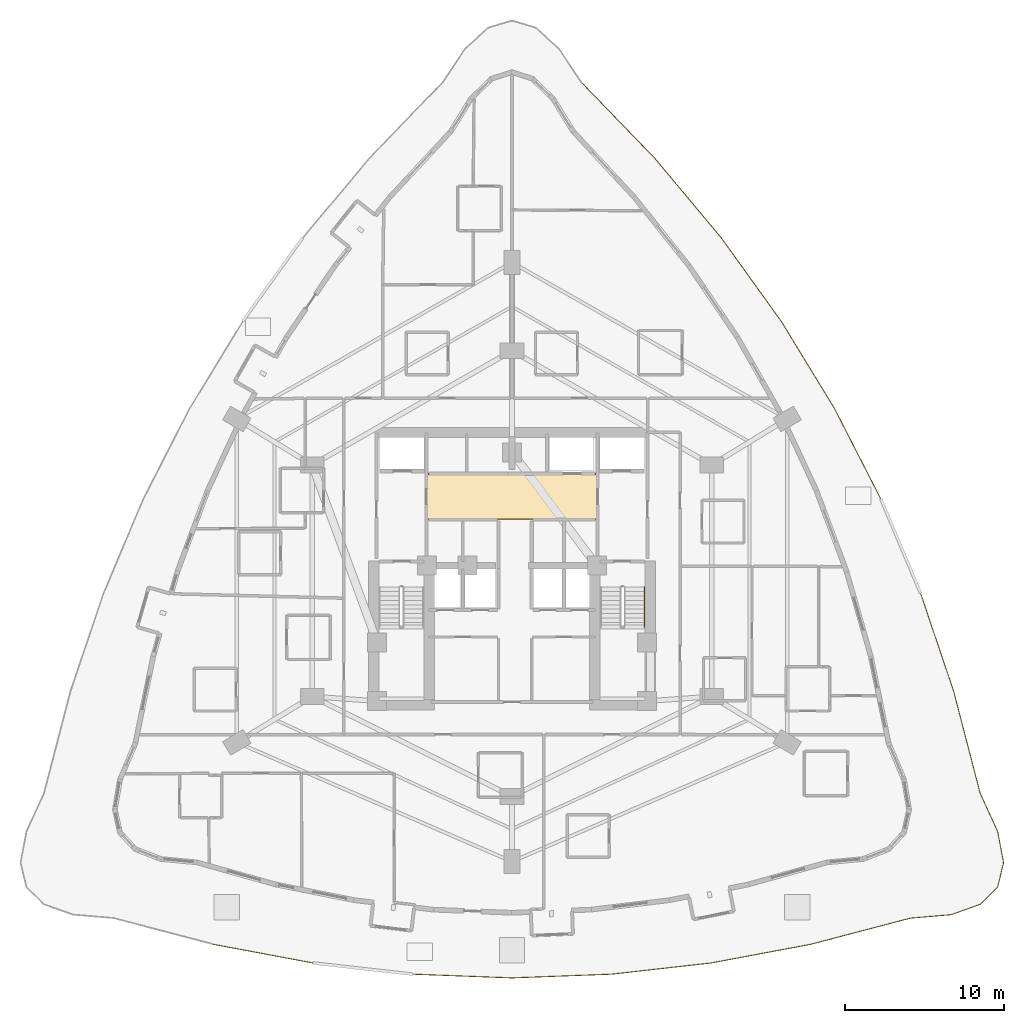
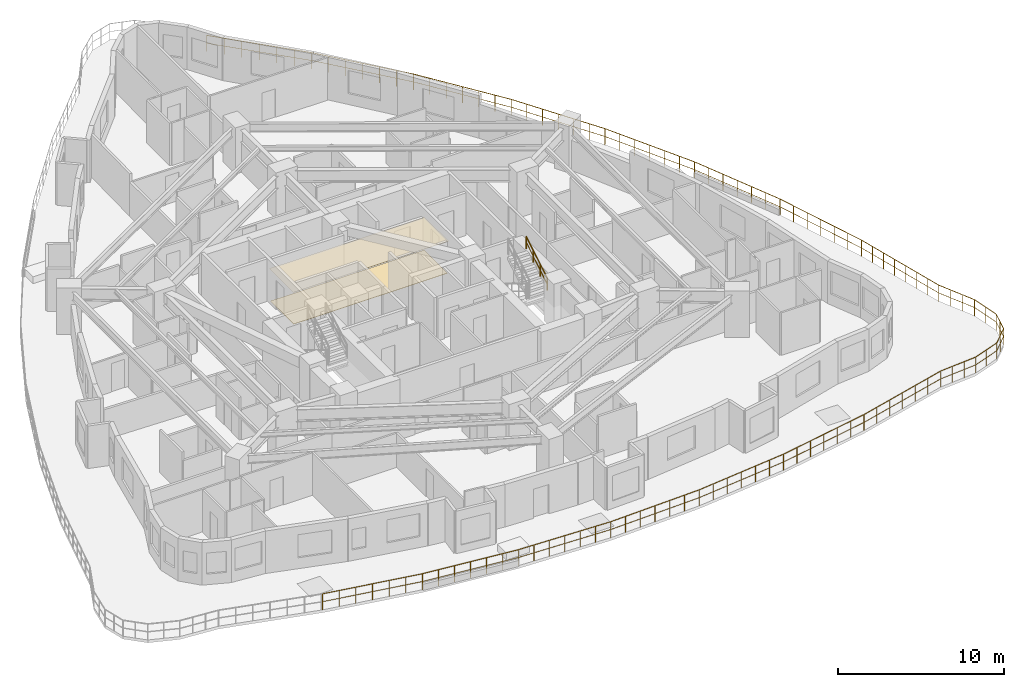
# One storey, part 17 of 17: 2 coverings, 2 railings.
"""IFC4 building model written with IfcOpenShell, lengths in metres."""

import ifcopenshell
import ifcopenshell.guid

model = None  # the IFC model being written
_history = None  # IfcOwnerHistory: only IFC2X3 demands one
_inside = {}  # id of a spatial element -> (the spatial element, [elements in it])
_under = {}  # id of a project, library or spatial element -> (it, [spatial elements below it])
_declared = {}  # id of a project -> (the project, [libraries it declares])
_typed = {}  # id of a type object -> (the type object, [elements of that type])
_made_of = {}  # id of a material, layer set ... -> (it, [elements and type objects made of it])


def new_model(schema):
    """Start an empty IFC model of exactly this schema.

    Asked for "IFC4X3", IfcOpenShell would pick the latest addendum, in which some entities
    have other attributes; the version numbers below select the first issue.
    IFC2X3 requires an IfcOwnerHistory on every rooted entity: one is made here for all.
    """
    global model, _history
    if schema == "IFC4X3":
        model = ifcopenshell.file(schema_version=(4, 3, 0, 0))
    else:
        model = ifcopenshell.file(schema=schema)
    _inside.clear()
    _under.clear()
    _declared.clear()
    _typed.clear()
    _made_of.clear()
    _history = None
    if model.schema == "IFC2X3":
        org = make("IfcOrganization", Name="unknown")
        user = make(
            "IfcPersonAndOrganization",
            ThePerson=make("IfcPerson", FamilyName="unknown"),
            TheOrganization=org,
        )
        app = make(
            "IfcApplication",
            ApplicationDeveloper=org,
            Version="unknown",
            ApplicationFullName="unknown",
            ApplicationIdentifier="unknown",
        )
        _history = make(
            "IfcOwnerHistory",
            OwningUser=user,
            OwningApplication=app,
            ChangeAction="ADDED",
            CreationDate=0,
        )
    return model


def make(cls, **values):
    """One entity of the class cls with the attributes given. An attribute that is None is left unset."""
    return model.create_entity(
        cls, **{name: value for name, value in values.items() if value is not None}
    )


def rooted(cls, **values):
    """An entity with a GlobalId (a new one), such as an element, a storey or a relation."""
    return make(cls, GlobalId=ifcopenshell.guid.new(), OwnerHistory=_history, **values)


def si_unit(unit_type, name, prefix=None):
    """IfcSIUnit, for example si_unit("LENGTHUNIT", "METRE", prefix="MILLI")."""
    return make("IfcSIUnit", UnitType=unit_type, Prefix=prefix, Name=name)


def assignment(units):
    """IfcUnitAssignment: the units of a project."""
    return None if units is None else make("IfcUnitAssignment", Units=units)


def point(xyz):
    """IfcCartesianPoint."""
    return None if xyz is None else make("IfcCartesianPoint", Coordinates=xyz)


def direction(xyz):
    """IfcDirection."""
    return None if xyz is None else make("IfcDirection", DirectionRatios=xyz)


def frame(location, z_axis=None, x_axis=None):
    """IfcAxis2Placement3D, a coordinate frame: its origin and axes. An axis left out is left unset."""
    return make(
        "IfcAxis2Placement3D",
        Location=point(location),
        Axis=direction(z_axis),
        RefDirection=direction(x_axis),
    )


def frame_2d(location, x_axis=None):
    """IfcAxis2Placement2D, a coordinate frame in the plane: its origin and x axis."""
    return make(
        "IfcAxis2Placement2D", Location=point(location), RefDirection=direction(x_axis)
    )


def origin():
    """The frame at (0, 0, 0) with its axes left unset."""
    return frame((0.0, 0.0, 0.0))


def origin_2d():
    """The frame at (0, 0) in the plane with its x axis left unset."""
    return frame_2d((0.0, 0.0))


def place(relative_to, where):
    """IfcLocalPlacement: puts the frame where relative to a parent placement (None: the world)."""
    return make(
        "IfcLocalPlacement", PlacementRelTo=relative_to, RelativePlacement=where
    )


def context(
    kind, dimensions, precision=None, world=None, true_north=None, identifier=None
):
    """IfcGeometricRepresentationContext, for example the 3D "Model" context."""
    return make(
        "IfcGeometricRepresentationContext",
        ContextIdentifier=identifier,
        ContextType=kind,
        CoordinateSpaceDimension=dimensions,
        Precision=precision,
        WorldCoordinateSystem=world,
        TrueNorth=true_north,
    )


def subcontext(parent, identifier, kind, view, scale=None):
    """IfcGeometricRepresentationSubContext, for example "Body" below "Model"."""
    return make(
        "IfcGeometricRepresentationSubContext",
        ContextIdentifier=identifier,
        ContextType=kind,
        ParentContext=parent,
        TargetScale=scale,
        TargetView=view,
    )


def project(units=None, contexts=None):
    """IfcProject with its units and contexts."""
    return rooted(
        "IfcProject",
        Name="project",
        RepresentationContexts=contexts,
        UnitsInContext=assignment(units),
    )


def spatial(cls, under=None, at=None, **own):
    """A site, building, storey or space (cls), placed at a placement, below another one or the project."""
    s = rooted(cls, ObjectPlacement=at, **own)
    if under is not None:
        _under.setdefault(under.id(), (under, []))[1].append(s)
    return s


def polyline(points):
    """IfcPolyline through the points."""
    return make("IfcPolyline", Points=[point(p) for p in points])


def profile(cls, at=None, kind="AREA", **sizes):
    """A parametric profile (cls). Its sizes go by their IFC names, for example OverallWidth=200.0."""
    return make(cls, ProfileType=kind, Position=at, **sizes)


def circle(**sizes):
    """IfcCircleProfileDef."""
    return profile("IfcCircleProfileDef", **sizes)


def outline(outer, holes=None, kind="AREA"):
    """IfcArbitraryClosedProfileDef: a profile drawn as a closed curve; with holes, ...WithVoids."""
    if holes is None:
        return make("IfcArbitraryClosedProfileDef", ProfileType=kind, OuterCurve=outer)
    return make(
        "IfcArbitraryProfileDefWithVoids",
        ProfileType=kind,
        OuterCurve=outer,
        InnerCurves=holes,
    )


def extrude(swept, where, along, depth):
    """IfcExtrudedAreaSolid: the profile swept, set in the frame where, extruded along a direction by depth."""
    return make(
        "IfcExtrudedAreaSolid",
        SweptArea=swept,
        Position=where,
        ExtrudedDirection=direction(along),
        Depth=depth,
    )


def shape(context_of_items, identifier, shape_type, items):
    """IfcShapeRepresentation: the items that make up one representation, for example the "Body"."""
    return make(
        "IfcShapeRepresentation",
        ContextOfItems=context_of_items,
        RepresentationIdentifier=identifier,
        RepresentationType=shape_type,
        Items=items,
    )


def material(Name=None, Category=None):
    """IfcMaterial."""
    return make("IfcMaterial", Name=Name, Category=Category)


def layer(
    of_material, thickness, ventilated=None, Name=None, Category=None, Priority=None
):
    """IfcMaterialLayer: one layer of a wall or slab, of a material (None: an air gap)."""
    return make(
        "IfcMaterialLayer",
        Material=of_material,
        LayerThickness=thickness,
        IsVentilated=ventilated,
        Name=Name,
        Category=Category,
        Priority=Priority,
    )


def layer_set(layers, Name=None):
    """IfcMaterialLayerSet."""
    return make("IfcMaterialLayerSet", MaterialLayers=layers, LayerSetName=Name)


def made_of(thing, what):
    """Note that an element or type object is made of a material, layer set ...; save() writes the relation."""
    if what is not None:
        _made_of.setdefault(what.id(), (what, []))[1].append(thing)
    return thing


def type_object(cls, material=None, **own):
    """A type object (cls), such as IfcWallType, which elements share."""
    return made_of(rooted(cls, **own), material)


def element(
    cls,
    number,
    at=None,
    inside=None,
    cuts=None,
    type_object=None,
    material=None,
    context=None,
    identifier="Body",
    shape_type=None,
    held_by="IfcProductDefinitionShape",
    body=None,
    shapes=None,
    **own,
):
    """One element of the class cls, such as IfcWall. Its Tag is "e" and its number.

    at: its placement. inside: the storey or other place that contains it. cuts: it is an
    opening in that element (IfcRelVoidsElement). A single representation is given by context,
    identifier, shape_type and body (its items); several are given by shapes. held_by: the class
    of the entity that holds the representations. save() writes the other relations.
    """
    e = rooted(cls, Tag="e%d" % number, ObjectPlacement=at, **own)
    if body is not None:
        shapes = [shape(context, identifier, shape_type, body)]
    if shapes is not None:
        e.Representation = make(held_by, Representations=shapes)
    if inside is not None:
        _inside.setdefault(inside.id(), (inside, []))[1].append(e)
    if cuts is not None:
        rooted(
            "IfcRelVoidsElement", RelatingBuildingElement=cuts, RelatedOpeningElement=e
        )
    if type_object is not None:
        _typed.setdefault(type_object.id(), (type_object, []))[1].append(e)
    return made_of(e, material)


def aggregate(whole, parts):
    """IfcRelAggregates: a whole, such as a stair, and the parts it consists of."""
    return rooted("IfcRelAggregates", RelatingObject=whole, RelatedObjects=parts)


def save(model, path):
    """Write the relations noted so far, then the file.

    IfcRelAggregates (storeys below a building ...), IfcRelContainedInSpatialStructure (elements
    in a storey), IfcRelDefinesByType, IfcRelAssociatesMaterial and IfcRelDeclares: one each for
    every whole, place, type object, material and project.
    """
    for whole, parts in _under.values():
        aggregate(whole, parts)
    for where, things in _inside.values():
        rooted(
            "IfcRelContainedInSpatialStructure",
            RelatedElements=things,
            RelatingStructure=where,
        )
    for kind, things in _typed.values():
        rooted("IfcRelDefinesByType", RelatedObjects=things, RelatingType=kind)
    for what, things in _made_of.values():
        rooted("IfcRelAssociatesMaterial", RelatedObjects=things, RelatingMaterial=what)
    for by, libraries in _declared.values():
        rooted("IfcRelDeclares", RelatingContext=by, RelatedDefinitions=libraries)
    model.write(path)


model = new_model("IFC4")

# Units and contexts
model_context = context("Model", 3, precision=1e-05, world=origin(), true_north=direction((0.0, 1.0)))
body_context = subcontext(model_context, "Body", "Model", "MODEL_VIEW")
ifc_project = project(units=[si_unit("LENGTHUNIT", "METRE"), si_unit("AREAUNIT", "SQUARE_METRE"), si_unit("VOLUMEUNIT", "CUBIC_METRE"), si_unit("PLANEANGLEUNIT", "RADIAN"), si_unit("MASSUNIT", "GRAM", prefix="KILO")], contexts=[model_context])

# Site, building, storey
site_placement = place(None, origin())
site = spatial("IfcSite", under=ifc_project, at=site_placement, CompositionType="ELEMENT")
building_placement = place(site_placement, origin())
building = spatial("IfcBuilding", under=site, at=building_placement, Name="Miruveldt Soraemaru", CompositionType="ELEMENT")
storey_placement = place(building_placement, frame((0.0, 0.0, 29.199951171875)))
storey = spatial("IfcBuildingStorey", under=building, at=storey_placement, Name="L07", CompositionType="ELEMENT", Elevation=29.199951171875)

# Coverings
ifc_material_1 = material(Name="Gypsum plasterboard lining", Category="gypsum")
ifc_layer_1 = layer(ifc_material_1, 0.02001953125, Name="Gypsum plasterboard lining", Category="gypsum")
ifc_layer_set_1 = layer_set([ifc_layer_1], Name="Gypsum plasterboard lining")
covering_type_1 = type_object("IfcCoveringType", Name="COV-CEIL-AC", PredefinedType="CEILING", material=ifc_layer_set_1)
covering_1_placement = place(storey_placement, frame((0.0, 0.0, 2.380126953125)))
element("IfcCovering", 1, at=covering_1_placement, inside=storey, type_object=covering_type_1, Name="L07 Lift Lobby Acoustic Ceiling", PredefinedType="CEILING", context=body_context, shape_type="SweptSolid", body=[
    extrude(outline(polyline([(38.60009765625, 46.949951171875), (49.39990234375, 46.949951171875), (49.39990234375, 49.85009765625), (38.60009765625, 49.85009765625), (38.60009765625, 46.949951171875)])), origin(), (0.0, 0.0, 1.0), 0.02001953125),
])
ifc_material_2 = material(Name="Precast concrete C45/55 (45 MPa)", Category="concrete")
ifc_layer_2 = layer(ifc_material_2, 0.02490234375, Name="Precast concrete C45/55 (45 MPa)", Category="concrete")
ifc_layer_set_2 = layer_set([ifc_layer_2], Name="Precast concrete C45/55 (45 MPa)")
covering_type_2 = type_object("IfcCoveringType", Name="COV-FLOR-ST", PredefinedType="FLOORING", material=ifc_layer_set_2)
covering_2_placement = place(storey_placement, origin())
element("IfcCovering", 2, at=covering_2_placement, inside=storey, type_object=covering_type_2, Name="L07 Lift Lobby Stone Flooring", PredefinedType="FLOORING", context=body_context, shape_type="SweptSolid", body=[
    extrude(outline(polyline([(38.64990234375, 47.0), (49.35009765625, 47.0), (49.35009765625, 49.800048828125), (38.64990234375, 49.800048828125), (38.64990234375, 47.0)])), origin(), (0.0, 0.0, 1.0), 0.025146484375),
])

# Railings
ifc_material_3 = material(Name="Anodised aluminium EN AW-6063 T6", Category="aluminium")
railing_type_1 = type_object("IfcRailingType", Name="RAIL-GUARD-1200", PredefinedType="GUARDRAIL", material=ifc_material_3)
railing_1_placement = place(storey_placement, frame((25.15869140625, 20.163330078125, 0.0)))
element("IfcRailing", 3, at=railing_1_placement, inside=storey, type_object=railing_type_1, Name="L07 Planted Terrace Perimeter Guardrail (B)", PredefinedType="GUARDRAIL", context=body_context, shape_type="SweptSolid", body=[
    extrude(circle(Radius=0.02392578125, at=origin_2d()), frame((0.0, 0.0, 1.17578125), z_axis=(0.982875214527, -0.184272387159, 0.0), x_axis=(0.184272387159, 0.982875214527, 0.0)), (0.0, 0.0, 1.0), 6.389892578125),
    extrude(circle(Radius=0.01611328125, at=origin_2d()), frame((0.0, 0.0, 0.60009765625), z_axis=(0.982875214527, -0.184272387159, 0.0), x_axis=(0.184272387159, 0.982875214527, 0.0)), (0.0, 0.0, 1.0), 6.389892578125),
    extrude(circle(Radius=0.02392578125, at=origin_2d()), frame((6.280517578125, -1.177490234375, 1.17578125), z_axis=(0.993731101576, -0.111796680453, 0.0), x_axis=(0.111796680453, 0.993731101576, 0.0)), (0.0, 0.0, 1.0), 6.31982421875),
    extrude(circle(Radius=0.01611328125, at=origin_2d()), frame((6.280517578125, -1.177490234375, 0.60009765625), z_axis=(0.993731101576, -0.111796680453, 0.0), x_axis=(0.111796680453, 0.993731101576, 0.0)), (0.0, 0.0, 1.0), 6.31982421875),
    extrude(circle(Radius=0.02392578125, at=origin_2d()), frame((12.560791015625, -1.884033203125, 1.17578125), z_axis=(0.999297161056, -0.037485782718, 0.0), x_axis=(0.037485782718, 0.999297161056, 0.0)), (0.0, 0.0, 1.0), 6.284912109375),
    extrude(circle(Radius=0.01611328125, at=origin_2d()), frame((12.560791015625, -1.884033203125, 0.60009765625), z_axis=(0.999297161056, -0.037485782718, 0.0), x_axis=(0.037485782718, 0.999297161056, 0.0)), (0.0, 0.0, 1.0), 6.284912109375),
    extrude(circle(Radius=0.02392578125, at=origin_2d()), frame((18.84130859375, -2.11962890625, 1.17578125), z_axis=(0.999297161056, 0.037485782718, 0.0), x_axis=(-0.037485782718, 0.999297161056, 0.0)), (0.0, 0.0, 1.0), 6.284912109375),
    extrude(circle(Radius=0.01611328125, at=origin_2d()), frame((18.84130859375, -2.11962890625, 0.60009765625), z_axis=(0.999297161056, 0.037485782718, 0.0), x_axis=(-0.037485782718, 0.999297161056, 0.0)), (0.0, 0.0, 1.0), 6.284912109375),
    extrude(circle(Radius=0.02392578125, at=origin_2d()), frame((25.121826171875, -1.884033203125, 1.17578125), z_axis=(0.993731101576, 0.111796680453, 0.0), x_axis=(-0.111796680453, 0.993731101576, 0.0)), (0.0, 0.0, 1.0), 6.31982421875),
    extrude(circle(Radius=0.01611328125, at=origin_2d()), frame((25.121826171875, -1.884033203125, 0.60009765625), z_axis=(0.993731101576, 0.111796680453, 0.0), x_axis=(-0.111796680453, 0.993731101576, 0.0)), (0.0, 0.0, 1.0), 6.31982421875),
    extrude(circle(Radius=0.02392578125, at=origin_2d()), frame((31.402099609375, -1.177490234375, 1.17578125), z_axis=(0.982875214527, 0.184272387159, 0.0), x_axis=(-0.184272387159, 0.982875214527, 0.0)), (0.0, 0.0, 1.0), 6.389892578125),
    extrude(circle(Radius=0.01611328125, at=origin_2d()), frame((31.402099609375, -1.177490234375, 0.60009765625), z_axis=(0.982875214527, 0.184272387159, 0.0), x_axis=(-0.184272387159, 0.982875214527, 0.0)), (0.0, 0.0, 1.0), 6.389892578125),
    extrude(circle(Radius=0.02392578125, at=origin_2d()), frame((37.6826171875, 0.0, 1.17578125), z_axis=(0.967226810049, 0.253913957715, 0.0), x_axis=(-0.253913957715, 0.967226810049, 0.0)), (0.0, 0.0, 1.0), 6.4931640625),
    extrude(circle(Radius=0.01611328125, at=origin_2d()), frame((37.6826171875, 0.0, 0.60009765625), z_axis=(0.967226810049, 0.253913957715, 0.0), x_axis=(-0.253913957715, 0.967226810049, 0.0)), (0.0, 0.0, 1.0), 6.4931640625),
    extrude(circle(Radius=0.02392578125, at=origin_2d()), frame((43.962890625, 1.648681640625, 1.17578125), z_axis=(0.996409549244, 0.08466410205, 0.0), x_axis=(-0.08466410205, 0.996409549244, 0.0)), (0.0, 0.0, 1.0), 2.583740234375),
    extrude(circle(Radius=0.01611328125, at=origin_2d()), frame((43.962890625, 1.648681640625, 0.60009765625), z_axis=(0.996409549244, 0.08466410205, 0.0), x_axis=(-0.08466410205, 0.996409549244, 0.0)), (0.0, 0.0, 1.0), 2.583740234375),
    extrude(circle(Radius=0.02392578125, at=origin_2d()), frame((46.537353515625, 1.867431640625, 1.17578125), z_axis=(0.941860676607, 0.336003669416, 0.0), x_axis=(-0.336003669416, 0.941860676607, 0.0)), (0.0, 0.0, 1.0), 1.952392578125),
    extrude(circle(Radius=0.01611328125, at=origin_2d()), frame((46.537353515625, 1.867431640625, 0.60009765625), z_axis=(0.941860676607, 0.336003669416, 0.0), x_axis=(-0.336003669416, 0.941860676607, 0.0)), (0.0, 0.0, 1.0), 1.952392578125),
    extrude(circle(Radius=0.02392578125, at=origin_2d()), frame((48.376220703125, 2.5234375, 1.17578125), z_axis=(0.710243158693, 0.703956430136, 0.0), x_axis=(-0.703956430136, 0.710243158693, 0.0)), (0.0, 0.0, 1.0), 1.553466796875),
    extrude(circle(Radius=0.01611328125, at=origin_2d()), frame((48.376220703125, 2.5234375, 0.60009765625), z_axis=(0.710243158693, 0.703956430136, 0.0), x_axis=(-0.703956430136, 0.710243158693, 0.0)), (0.0, 0.0, 1.0), 1.553466796875),
    extrude(circle(Radius=0.02392578125, at=origin_2d()), frame((49.4794921875, 3.616943359375, 1.17578125), z_axis=(0.233660289034, 0.972318296305, 0.0), x_axis=(-0.972318296305, 0.233660289034, 0.0)), (0.0, 0.0, 1.0), 1.57470703125),
    extrude(circle(Radius=0.01611328125, at=origin_2d()), frame((49.4794921875, 3.616943359375, 0.60009765625), z_axis=(0.233660289034, 0.972318296305, 0.0), x_axis=(-0.972318296305, 0.233660289034, 0.0)), (0.0, 0.0, 1.0), 1.57470703125),
    extrude(circle(Radius=0.02392578125, at=origin_2d()), frame((49.847412109375, 5.14794921875, 1.17578125), z_axis=(-0.183743746828, 0.982974178451, 0.0), x_axis=(-0.982974178451, -0.183743746828, 0.0)), (0.0, 0.0, 1.0), 2.00244140625),
    extrude(circle(Radius=0.01611328125, at=origin_2d()), frame((49.847412109375, 5.14794921875, 0.60009765625), z_axis=(-0.183743746828, 0.982974178451, 0.0), x_axis=(-0.982974178451, -0.183743746828, 0.0)), (0.0, 0.0, 1.0), 2.00244140625),
    extrude(circle(Radius=0.02392578125, at=origin_2d()), frame((49.4794921875, 7.1162109375, 1.17578125), z_axis=(-0.416851629554, 0.908974542514, 0.0), x_axis=(-0.908974542514, -0.416851629554, 0.0)), (0.0, 0.0, 1.0), 2.646728515625),
    extrude(circle(Radius=0.01611328125, at=origin_2d()), frame((49.4794921875, 7.1162109375, 0.60009765625), z_axis=(-0.416851629554, 0.908974542514, 0.0), x_axis=(-0.908974542514, -0.416851629554, 0.0)), (0.0, 0.0, 1.0), 2.646728515625),
    extrude(circle(Radius=0.02392578125, at=origin_2d()), frame((48.376220703125, 9.52197265625, 1.17578125), z_axis=(-0.251462333206, 0.967867085389, 0.0), x_axis=(-0.967867085389, -0.251462333206, 0.0)), (0.0, 0.0, 1.0), 6.639892578125),
    extrude(circle(Radius=0.01611328125, at=origin_2d()), frame((48.376220703125, 9.52197265625, 0.60009765625), z_axis=(-0.251462333206, 0.967867085389, 0.0), x_axis=(-0.967867085389, -0.251462333206, 0.0)), (0.0, 0.0, 1.0), 6.639892578125),
    extrude(circle(Radius=0.02392578125, at=origin_2d()), frame((46.70654296875, 15.948486328125, 1.17578125), z_axis=(-0.319834828308, 0.947473314981, 0.0), x_axis=(-0.947473314981, -0.319834828308, 0.0)), (0.0, 0.0, 1.0), 6.5341796875),
    extrude(circle(Radius=0.01611328125, at=origin_2d()), frame((46.70654296875, 15.948486328125, 0.60009765625), z_axis=(-0.319834828308, 0.947473314981, 0.0), x_axis=(-0.947473314981, -0.319834828308, 0.0)), (0.0, 0.0, 1.0), 6.5341796875),
    extrude(circle(Radius=0.02392578125, at=origin_2d()), frame((44.61669921875, 22.139404296875, 1.17578125), z_axis=(-0.388372782788, 0.92150235029, 0.0), x_axis=(-0.92150235029, -0.388372782788, 0.0)), (0.0, 0.0, 1.0), 6.462890625),
    extrude(circle(Radius=0.01611328125, at=origin_2d()), frame((44.61669921875, 22.139404296875, 0.60009765625), z_axis=(-0.388372782788, 0.92150235029, 0.0), x_axis=(-0.92150235029, -0.388372782788, 0.0)), (0.0, 0.0, 1.0), 6.462890625),
    extrude(circle(Radius=0.02392578125, at=origin_2d()), frame((42.106689453125, 28.094970703125, 1.17578125), z_axis=(-0.455914772145, 0.890023438197, 0.0), x_axis=(-0.890023438197, -0.455914772145, 0.0)), (0.0, 0.0, 1.0), 6.426513671875),
    extrude(circle(Radius=0.01611328125, at=origin_2d()), frame((42.106689453125, 28.094970703125, 0.60009765625), z_axis=(-0.455914772145, 0.890023438197, 0.0), x_axis=(-0.890023438197, -0.455914772145, 0.0)), (0.0, 0.0, 1.0), 6.426513671875),
    extrude(circle(Radius=0.02392578125, at=origin_2d()), frame((39.1767578125, 33.814697265625, 1.17578125), z_axis=(-0.521311708579, 0.853366335461, 0.0), x_axis=(-0.853366335461, -0.521311708579, 0.0)), (0.0, 0.0, 1.0), 6.4267578125),
    extrude(circle(Radius=0.01611328125, at=origin_2d()), frame((39.1767578125, 33.814697265625, 0.60009765625), z_axis=(-0.521311708579, 0.853366335461, 0.0), x_axis=(-0.853366335461, -0.521311708579, 0.0)), (0.0, 0.0, 1.0), 6.4267578125),
    extrude(circle(Radius=0.02392578125, at=origin_2d()), frame((35.826416015625, 39.299072265625, 1.17578125), z_axis=(-0.583408738334, 0.812178702032, 0.0), x_axis=(-0.812178702032, -0.583408738334, 0.0)), (0.0, 0.0, 1.0), 6.462890625),
    extrude(circle(Radius=0.01611328125, at=origin_2d()), frame((35.826416015625, 39.299072265625, 0.60009765625), z_axis=(-0.583408738334, 0.812178702032, 0.0), x_axis=(-0.812178702032, -0.583408738334, 0.0)), (0.0, 0.0, 1.0), 6.462890625),
    extrude(circle(Radius=0.02392578125, at=origin_2d()), frame((32.055908203125, 44.548095703125, 1.17578125), z_axis=(-0.641341323083, 0.767255698777, 0.0), x_axis=(-0.767255698777, -0.641341323083, 0.0)), (0.0, 0.0, 1.0), 6.5341796875),
    extrude(circle(Radius=0.01611328125, at=origin_2d()), frame((32.055908203125, 44.548095703125, 0.60009765625), z_axis=(-0.641341323083, 0.767255698777, 0.0), x_axis=(-0.767255698777, -0.641341323083, 0.0)), (0.0, 0.0, 1.0), 6.5341796875),
    extrude(circle(Radius=0.02392578125, at=origin_2d()), frame((27.865234375, 49.5615234375, 1.17578125), z_axis=(-0.694407236337, 0.719582233051, 0.0), x_axis=(-0.719582233051, -0.694407236337, 0.0)), (0.0, 0.0, 1.0), 6.584716796875),
    extrude(circle(Radius=0.01611328125, at=origin_2d()), frame((27.865234375, 49.5615234375, 0.60009765625), z_axis=(-0.694407236337, 0.719582233051, 0.0), x_axis=(-0.719582233051, -0.694407236337, 0.0)), (0.0, 0.0, 1.0), 6.584716796875),
    extrude(circle(Radius=0.02099609375, at=origin_2d()), origin(), (0.0, 0.0, 1.0), 1.15185546875),
    extrude(circle(Radius=0.02099609375, at=origin_2d()), frame((1.046875, -0.1962890625, 0.0)), (0.0, 0.0, 1.0), 1.15185546875),
    extrude(circle(Radius=0.02099609375, at=origin_2d()), frame((2.093505859375, -0.392578125, 0.0)), (0.0, 0.0, 1.0), 1.15185546875),
    extrude(circle(Radius=0.02099609375, at=origin_2d()), frame((3.14013671875, -0.5888671875, 0.0)), (0.0, 0.0, 1.0), 1.15185546875),
    extrude(circle(Radius=0.02099609375, at=origin_2d()), frame((4.18701171875, -0.784912109375, 0.0)), (0.0, 0.0, 1.0), 1.15185546875),
    extrude(circle(Radius=0.02099609375, at=origin_2d()), frame((5.23388671875, -0.981201171875, 0.0)), (0.0, 0.0, 1.0), 1.15185546875),
    extrude(circle(Radius=0.02099609375, at=origin_2d()), frame((6.280517578125, -1.177490234375, 0.0)), (0.0, 0.0, 1.0), 1.15185546875),
    extrude(circle(Radius=0.02099609375, at=origin_2d()), frame((7.3271484375, -1.295166015625, 0.0)), (0.0, 0.0, 1.0), 1.15185546875),
    extrude(circle(Radius=0.02099609375, at=origin_2d()), frame((8.3740234375, -1.4130859375, 0.0)), (0.0, 0.0, 1.0), 1.15185546875),
    extrude(circle(Radius=0.02099609375, at=origin_2d()), frame((9.420654296875, -1.53076171875, 0.0)), (0.0, 0.0, 1.0), 1.15185546875),
    extrude(circle(Radius=0.02099609375, at=origin_2d()), frame((10.46728515625, -1.6484375, 0.0)), (0.0, 0.0, 1.0), 1.15185546875),
    extrude(circle(Radius=0.02099609375, at=origin_2d()), frame((11.51416015625, -1.766357421875, 0.0)), (0.0, 0.0, 1.0), 1.15185546875),
    extrude(circle(Radius=0.02099609375, at=origin_2d()), frame((12.560791015625, -1.884033203125, 0.0)), (0.0, 0.0, 1.0), 1.15185546875),
    extrude(circle(Radius=0.02099609375, at=origin_2d()), frame((13.607421875, -1.92333984375, 0.0)), (0.0, 0.0, 1.0), 1.15185546875),
    extrude(circle(Radius=0.02099609375, at=origin_2d()), frame((14.654296875, -1.962646484375, 0.0)), (0.0, 0.0, 1.0), 1.15185546875),
    extrude(circle(Radius=0.02099609375, at=origin_2d()), frame((15.701171875, -2.001953125, 0.0)), (0.0, 0.0, 1.0), 1.15185546875),
    extrude(circle(Radius=0.02099609375, at=origin_2d()), frame((16.747802734375, -2.041015625, 0.0)), (0.0, 0.0, 1.0), 1.15185546875),
    extrude(circle(Radius=0.02099609375, at=origin_2d()), frame((17.79443359375, -2.080322265625, 0.0)), (0.0, 0.0, 1.0), 1.15185546875),
    extrude(circle(Radius=0.02099609375, at=origin_2d()), frame((18.84130859375, -2.11962890625, 0.0)), (0.0, 0.0, 1.0), 1.15185546875),
    extrude(circle(Radius=0.02099609375, at=origin_2d()), frame((19.88818359375, -2.080322265625, 0.0)), (0.0, 0.0, 1.0), 1.15185546875),
    extrude(circle(Radius=0.02099609375, at=origin_2d()), frame((20.934814453125, -2.041015625, 0.0)), (0.0, 0.0, 1.0), 1.15185546875),
    extrude(circle(Radius=0.02099609375, at=origin_2d()), frame((21.9814453125, -2.001953125, 0.0)), (0.0, 0.0, 1.0), 1.15185546875),
    extrude(circle(Radius=0.02099609375, at=origin_2d()), frame((23.0283203125, -1.962646484375, 0.0)), (0.0, 0.0, 1.0), 1.15185546875),
    extrude(circle(Radius=0.02099609375, at=origin_2d()), frame((24.0751953125, -1.92333984375, 0.0)), (0.0, 0.0, 1.0), 1.15185546875),
    extrude(circle(Radius=0.02099609375, at=origin_2d()), frame((25.121826171875, -1.884033203125, 0.0)), (0.0, 0.0, 1.0), 1.15185546875),
    extrude(circle(Radius=0.02099609375, at=origin_2d()), frame((26.16845703125, -1.766357421875, 0.0)), (0.0, 0.0, 1.0), 1.15185546875),
    extrude(circle(Radius=0.02099609375, at=origin_2d()), frame((27.21533203125, -1.6484375, 0.0)), (0.0, 0.0, 1.0), 1.15185546875),
    extrude(circle(Radius=0.02099609375, at=origin_2d()), frame((28.261962890625, -1.53076171875, 0.0)), (0.0, 0.0, 1.0), 1.15185546875),
    extrude(circle(Radius=0.02099609375, at=origin_2d()), frame((29.30859375, -1.4130859375, 0.0)), (0.0, 0.0, 1.0), 1.15185546875),
    extrude(circle(Radius=0.02099609375, at=origin_2d()), frame((30.35546875, -1.295166015625, 0.0)), (0.0, 0.0, 1.0), 1.15185546875),
    extrude(circle(Radius=0.02099609375, at=origin_2d()), frame((31.402099609375, -1.177490234375, 0.0)), (0.0, 0.0, 1.0), 1.15185546875),
    extrude(circle(Radius=0.02099609375, at=origin_2d()), frame((32.44873046875, -0.981201171875, 0.0)), (0.0, 0.0, 1.0), 1.15185546875),
    extrude(circle(Radius=0.02099609375, at=origin_2d()), frame((33.49560546875, -0.784912109375, 0.0)), (0.0, 0.0, 1.0), 1.15185546875),
    extrude(circle(Radius=0.02099609375, at=origin_2d()), frame((34.54248046875, -0.5888671875, 0.0)), (0.0, 0.0, 1.0), 1.15185546875),
    extrude(circle(Radius=0.02099609375, at=origin_2d()), frame((35.589111328125, -0.392578125, 0.0)), (0.0, 0.0, 1.0), 1.15185546875),
    extrude(circle(Radius=0.02099609375, at=origin_2d()), frame((36.6357421875, -0.1962890625, 0.0)), (0.0, 0.0, 1.0), 1.15185546875),
    extrude(circle(Radius=0.02099609375, at=origin_2d()), frame((37.6826171875, 0.0, 0.0)), (0.0, 0.0, 1.0), 1.15185546875),
    extrude(circle(Radius=0.02099609375, at=origin_2d()), frame((38.729248046875, 0.27490234375, 0.0)), (0.0, 0.0, 1.0), 1.15185546875),
    extrude(circle(Radius=0.02099609375, at=origin_2d()), frame((39.776123046875, 0.549560546875, 0.0)), (0.0, 0.0, 1.0), 1.15185546875),
    extrude(circle(Radius=0.02099609375, at=origin_2d()), frame((40.82275390625, 0.82421875, 0.0)), (0.0, 0.0, 1.0), 1.15185546875),
    extrude(circle(Radius=0.02099609375, at=origin_2d()), frame((41.869384765625, 1.09912109375, 0.0)), (0.0, 0.0, 1.0), 1.15185546875),
    extrude(circle(Radius=0.02099609375, at=origin_2d()), frame((42.916259765625, 1.3740234375, 0.0)), (0.0, 0.0, 1.0), 1.15185546875),
    extrude(circle(Radius=0.02099609375, at=origin_2d()), frame((43.962890625, 1.648681640625, 0.0)), (0.0, 0.0, 1.0), 1.15185546875),
    extrude(circle(Radius=0.02099609375, at=origin_2d()), frame((44.821044921875, 1.7216796875, 0.0)), (0.0, 0.0, 1.0), 1.15185546875),
    extrude(circle(Radius=0.02099609375, at=origin_2d()), frame((45.67919921875, 1.79443359375, 0.0)), (0.0, 0.0, 1.0), 1.15185546875),
    extrude(circle(Radius=0.02099609375, at=origin_2d()), frame((46.537353515625, 1.867431640625, 0.0)), (0.0, 0.0, 1.0), 1.15185546875),
    extrude(circle(Radius=0.02099609375, at=origin_2d()), frame((47.456787109375, 2.1953125, 0.0)), (0.0, 0.0, 1.0), 1.15185546875),
    extrude(circle(Radius=0.02099609375, at=origin_2d()), frame((48.376220703125, 2.5234375, 0.0)), (0.0, 0.0, 1.0), 1.15185546875),
    extrude(circle(Radius=0.02099609375, at=origin_2d()), frame((48.927734375, 3.0703125, 0.0)), (0.0, 0.0, 1.0), 1.15185546875),
    extrude(circle(Radius=0.02099609375, at=origin_2d()), frame((49.4794921875, 3.616943359375, 0.0)), (0.0, 0.0, 1.0), 1.15185546875),
    extrude(circle(Radius=0.02099609375, at=origin_2d()), frame((49.66357421875, 4.38232421875, 0.0)), (0.0, 0.0, 1.0), 1.15185546875),
    extrude(circle(Radius=0.02099609375, at=origin_2d()), frame((49.847412109375, 5.14794921875, 0.0)), (0.0, 0.0, 1.0), 1.15185546875),
    extrude(circle(Radius=0.02099609375, at=origin_2d()), frame((49.66357421875, 6.132080078125, 0.0)), (0.0, 0.0, 1.0), 1.15185546875),
    extrude(circle(Radius=0.02099609375, at=origin_2d()), frame((49.4794921875, 7.1162109375, 0.0)), (0.0, 0.0, 1.0), 1.15185546875),
    extrude(circle(Radius=0.02099609375, at=origin_2d()), frame((49.11181640625, 7.918212890625, 0.0)), (0.0, 0.0, 1.0), 1.15185546875),
    extrude(circle(Radius=0.02099609375, at=origin_2d()), frame((48.743896484375, 8.719970703125, 0.0)), (0.0, 0.0, 1.0), 1.15185546875),
    extrude(circle(Radius=0.02099609375, at=origin_2d()), frame((48.376220703125, 9.52197265625, 0.0)), (0.0, 0.0, 1.0), 1.15185546875),
    extrude(circle(Radius=0.02099609375, at=origin_2d()), frame((48.1376953125, 10.43994140625, 0.0)), (0.0, 0.0, 1.0), 1.15185546875),
    extrude(circle(Radius=0.02099609375, at=origin_2d()), frame((47.899169921875, 11.358154296875, 0.0)), (0.0, 0.0, 1.0), 1.15185546875),
    extrude(circle(Radius=0.02099609375, at=origin_2d()), frame((47.66064453125, 12.276123046875, 0.0)), (0.0, 0.0, 1.0), 1.15185546875),
    extrude(circle(Radius=0.02099609375, at=origin_2d()), frame((47.422119140625, 13.1943359375, 0.0)), (0.0, 0.0, 1.0), 1.15185546875),
    extrude(circle(Radius=0.02099609375, at=origin_2d()), frame((47.18359375, 14.1123046875, 0.0)), (0.0, 0.0, 1.0), 1.15185546875),
    extrude(circle(Radius=0.02099609375, at=origin_2d()), frame((46.945068359375, 15.030517578125, 0.0)), (0.0, 0.0, 1.0), 1.15185546875),
    extrude(circle(Radius=0.02099609375, at=origin_2d()), frame((46.70654296875, 15.948486328125, 0.0)), (0.0, 0.0, 1.0), 1.15185546875),
    extrude(circle(Radius=0.02099609375, at=origin_2d()), frame((46.358154296875, 16.980224609375, 0.0)), (0.0, 0.0, 1.0), 1.15185546875),
    extrude(circle(Radius=0.02099609375, at=origin_2d()), frame((46.010009765625, 18.01220703125, 0.0)), (0.0, 0.0, 1.0), 1.15185546875),
    extrude(circle(Radius=0.02099609375, at=origin_2d()), frame((45.66162109375, 19.0439453125, 0.0)), (0.0, 0.0, 1.0), 1.15185546875),
    extrude(circle(Radius=0.02099609375, at=origin_2d()), frame((45.313232421875, 20.07568359375, 0.0)), (0.0, 0.0, 1.0), 1.15185546875),
    extrude(circle(Radius=0.02099609375, at=origin_2d()), frame((44.965087890625, 21.107666015625, 0.0)), (0.0, 0.0, 1.0), 1.15185546875),
    extrude(circle(Radius=0.02099609375, at=origin_2d()), frame((44.61669921875, 22.139404296875, 0.0)), (0.0, 0.0, 1.0), 1.15185546875),
    extrude(circle(Radius=0.02099609375, at=origin_2d()), frame((44.1982421875, 23.132080078125, 0.0)), (0.0, 0.0, 1.0), 1.15185546875),
    extrude(circle(Radius=0.02099609375, at=origin_2d()), frame((43.780029296875, 24.12451171875, 0.0)), (0.0, 0.0, 1.0), 1.15185546875),
    extrude(circle(Radius=0.02099609375, at=origin_2d()), frame((43.36181640625, 25.1171875, 0.0)), (0.0, 0.0, 1.0), 1.15185546875),
    extrude(circle(Radius=0.02099609375, at=origin_2d()), frame((42.943359375, 26.10986328125, 0.0)), (0.0, 0.0, 1.0), 1.15185546875),
    extrude(circle(Radius=0.02099609375, at=origin_2d()), frame((42.52490234375, 27.102294921875, 0.0)), (0.0, 0.0, 1.0), 1.15185546875),
    extrude(circle(Radius=0.02099609375, at=origin_2d()), frame((42.106689453125, 28.094970703125, 0.0)), (0.0, 0.0, 1.0), 1.15185546875),
    extrude(circle(Radius=0.02099609375, at=origin_2d()), frame((41.618408203125, 29.04833984375, 0.0)), (0.0, 0.0, 1.0), 1.15185546875),
    extrude(circle(Radius=0.02099609375, at=origin_2d()), frame((41.130126953125, 30.00146484375, 0.0)), (0.0, 0.0, 1.0), 1.15185546875),
    extrude(circle(Radius=0.02099609375, at=origin_2d()), frame((40.6416015625, 30.954833984375, 0.0)), (0.0, 0.0, 1.0), 1.15185546875),
    extrude(circle(Radius=0.02099609375, at=origin_2d()), frame((40.1533203125, 31.908203125, 0.0)), (0.0, 0.0, 1.0), 1.15185546875),
    extrude(circle(Radius=0.02099609375, at=origin_2d()), frame((39.6650390625, 32.861328125, 0.0)), (0.0, 0.0, 1.0), 1.15185546875),
    extrude(circle(Radius=0.02099609375, at=origin_2d()), frame((39.1767578125, 33.814697265625, 0.0)), (0.0, 0.0, 1.0), 1.15185546875),
    extrude(circle(Radius=0.02099609375, at=origin_2d()), frame((38.618408203125, 34.728759765625, 0.0)), (0.0, 0.0, 1.0), 1.15185546875),
    extrude(circle(Radius=0.02099609375, at=origin_2d()), frame((38.06005859375, 35.642822265625, 0.0)), (0.0, 0.0, 1.0), 1.15185546875),
    extrude(circle(Radius=0.02099609375, at=origin_2d()), frame((37.50146484375, 36.556884765625, 0.0)), (0.0, 0.0, 1.0), 1.15185546875),
    extrude(circle(Radius=0.02099609375, at=origin_2d()), frame((36.943115234375, 37.470947265625, 0.0)), (0.0, 0.0, 1.0), 1.15185546875),
    extrude(circle(Radius=0.02099609375, at=origin_2d()), frame((36.384765625, 38.385009765625, 0.0)), (0.0, 0.0, 1.0), 1.15185546875),
    extrude(circle(Radius=0.02099609375, at=origin_2d()), frame((35.826416015625, 39.299072265625, 0.0)), (0.0, 0.0, 1.0), 1.15185546875),
    extrude(circle(Radius=0.02099609375, at=origin_2d()), frame((35.197998046875, 40.173828125, 0.0)), (0.0, 0.0, 1.0), 1.15185546875),
    extrude(circle(Radius=0.02099609375, at=origin_2d()), frame((34.569580078125, 41.048828125, 0.0)), (0.0, 0.0, 1.0), 1.15185546875),
    extrude(circle(Radius=0.02099609375, at=origin_2d()), frame((33.941162109375, 41.923583984375, 0.0)), (0.0, 0.0, 1.0), 1.15185546875),
    extrude(circle(Radius=0.02099609375, at=origin_2d()), frame((33.312744140625, 42.79833984375, 0.0)), (0.0, 0.0, 1.0), 1.15185546875),
    extrude(circle(Radius=0.02099609375, at=origin_2d()), frame((32.684326171875, 43.67333984375, 0.0)), (0.0, 0.0, 1.0), 1.15185546875),
    extrude(circle(Radius=0.02099609375, at=origin_2d()), frame((32.055908203125, 44.548095703125, 0.0)), (0.0, 0.0, 1.0), 1.15185546875),
    extrude(circle(Radius=0.02099609375, at=origin_2d()), frame((31.357421875, 45.3837890625, 0.0)), (0.0, 0.0, 1.0), 1.15185546875),
    extrude(circle(Radius=0.02099609375, at=origin_2d()), frame((30.658935546875, 46.21923828125, 0.0)), (0.0, 0.0, 1.0), 1.15185546875),
    extrude(circle(Radius=0.02099609375, at=origin_2d()), frame((29.96044921875, 47.0546875, 0.0)), (0.0, 0.0, 1.0), 1.15185546875),
    extrude(circle(Radius=0.02099609375, at=origin_2d()), frame((29.26220703125, 47.890380859375, 0.0)), (0.0, 0.0, 1.0), 1.15185546875),
    extrude(circle(Radius=0.02099609375, at=origin_2d()), frame((28.563720703125, 48.72607421875, 0.0)), (0.0, 0.0, 1.0), 1.15185546875),
    extrude(circle(Radius=0.02099609375, at=origin_2d()), frame((27.865234375, 49.5615234375, 0.0)), (0.0, 0.0, 1.0), 1.15185546875),
    extrude(circle(Radius=0.02099609375, at=origin_2d()), frame((27.10302734375, 50.351318359375, 0.0)), (0.0, 0.0, 1.0), 1.15185546875),
    extrude(circle(Radius=0.02099609375, at=origin_2d()), frame((26.341064453125, 51.140869140625, 0.0)), (0.0, 0.0, 1.0), 1.15185546875),
    extrude(circle(Radius=0.02099609375, at=origin_2d()), frame((25.5791015625, 51.9306640625, 0.0)), (0.0, 0.0, 1.0), 1.15185546875),
    extrude(circle(Radius=0.02099609375, at=origin_2d()), frame((24.81689453125, 52.720458984375, 0.0)), (0.0, 0.0, 1.0), 1.15185546875),
    extrude(circle(Radius=0.02099609375, at=origin_2d()), frame((24.0546875, 53.510009765625, 0.0)), (0.0, 0.0, 1.0), 1.15185546875),
    extrude(circle(Radius=0.02099609375, at=origin_2d()), frame((23.292724609375, 54.2998046875, 0.0)), (0.0, 0.0, 1.0), 1.15185546875),
])
ifc_material_4 = material(Name="Steel S355 (355 MPa)", Category="steel")
railing_type_2 = type_object("IfcRailingType", Name="RAIL-HR-900", PredefinedType="HANDRAIL", material=ifc_material_4)
railing_2_placement = place(storey_placement, frame((52.35009765625, 40.179931640625, 1.8701171875)))
element("IfcRailing", 4, at=railing_2_placement, inside=storey, type_object=railing_type_2, Name="L07 ST-2 stair handrail 2", PredefinedType="HANDRAIL", context=body_context, shape_type="SweptSolid", body=[
    extrude(circle(Radius=0.02392578125, at=origin_2d()), frame((0.0, 0.0, 0.8759765625), z_axis=(0.0, 0.85478489116, 0.518982456201), x_axis=(-1.0, 0.0, 0.0)), (0.0, 0.0, 1.0), 2.9482421875),
    extrude(circle(Radius=0.01611328125, at=origin_2d()), frame((0.0, 0.0, 0.449951171875), z_axis=(0.0, 0.85478489116, 0.518982456201), x_axis=(-1.0, 0.0, 0.0)), (0.0, 0.0, 1.0), 2.9482421875),
    extrude(circle(Radius=0.02099609375, at=origin_2d()), origin(), (0.0, 0.0, 1.0), 0.851806640625),
    extrude(circle(Radius=0.02099609375, at=origin_2d()), frame((0.0, 0.840087890625, 0.510009765625)), (0.0, 0.0, 1.0), 0.851806640625),
    extrude(circle(Radius=0.02099609375, at=origin_2d()), frame((0.0, 1.679931640625, 1.02001953125)), (0.0, 0.0, 1.0), 0.851806640625),
    extrude(circle(Radius=0.02099609375, at=origin_2d()), frame((0.0, 2.52001953125, 1.530029296875)), (0.0, 0.0, 1.0), 0.851806640625),
])

save(model, "model.ifc")
